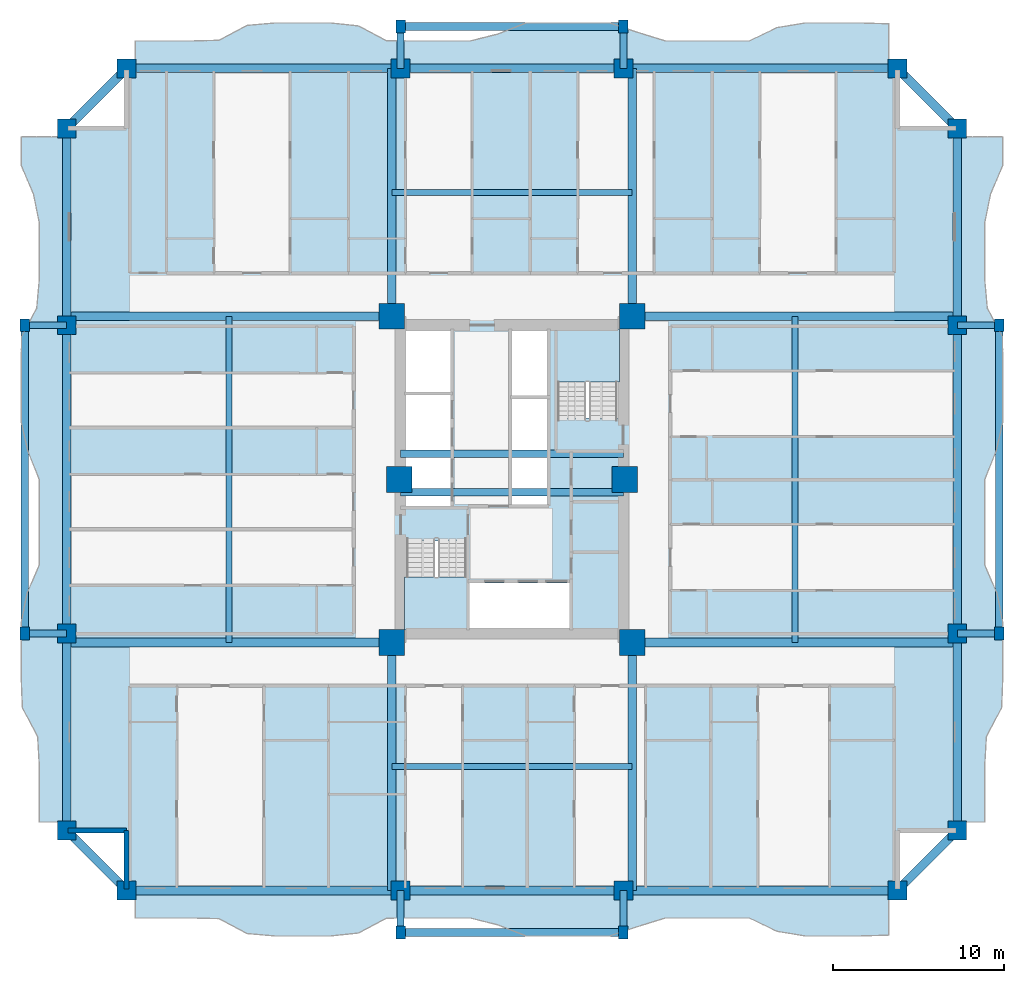
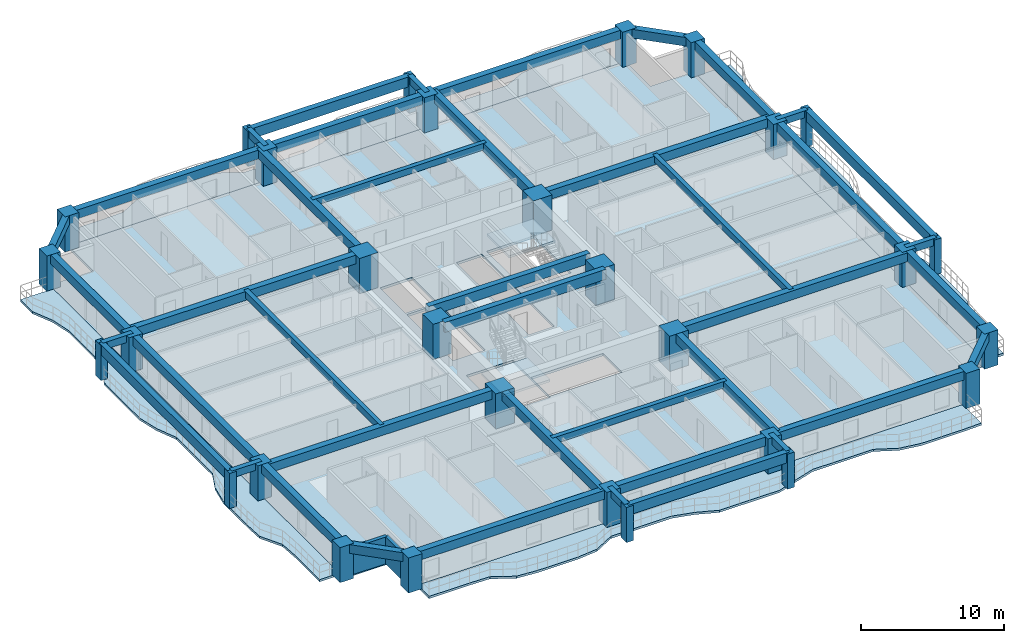
# One storey, part 1 of 16: 42 beams, 30 columns, 7 slabs, 2 walls, 2 elements without a shape of their own.
"""IFC4 building model written with IfcOpenShell, lengths in metres."""

from ifc_helpers import new_model, si_unit, direction, frame, frame_2d, origin, origin_2d, place, context, subcontext, project, spatial, polyline, rectangle, outline, extrude, source, transform, mapped, material, layer, layer_set, material_profile, profile_set, type_object, element, aggregate, save


model = new_model("IFC4")

# Units and contexts
model_context = context("Model", 3, precision=1e-05, world=origin(), true_north=direction((0.0, 1.0)))
body_context = subcontext(model_context, "Body", "Model", "MODEL_VIEW")
ifc_project = project(units=[si_unit("LENGTHUNIT", "METRE"), si_unit("AREAUNIT", "SQUARE_METRE"), si_unit("VOLUMEUNIT", "CUBIC_METRE"), si_unit("PLANEANGLEUNIT", "RADIAN"), si_unit("MASSUNIT", "GRAM", prefix="KILO")], contexts=[model_context])

# Site, building, storey
site_placement = place(None, origin())
site = spatial("IfcSite", under=ifc_project, at=site_placement, CompositionType="ELEMENT")
building_placement = place(site_placement, origin())
building = spatial("IfcBuilding", under=site, at=building_placement, Name="Saelheon Loggia Tower", CompositionType="ELEMENT")
storey_placement = place(building_placement, frame((0.0, 0.0, 31.39990234375)))
storey = spatial("IfcBuildingStorey", under=building, at=storey_placement, Name="L09", CompositionType="ELEMENT", Elevation=31.39990234375)

# Columns
ifc_material_1 = material(Name="Concrete C60/75", Category="concrete")
ifc_material_profile_1 = material_profile(ifc_material_1, rectangle(XDim=1.5, YDim=1.5, at=origin_2d()), Name="RC-1500x1500")
ifc_profile_set_1 = profile_set([ifc_material_profile_1], Name="Concrete C60/75")
column_type_1 = type_object("IfcColumnType", Name="Col_Core_RC1500", PredefinedType="COLUMN", material=ifc_profile_set_1)
shared_shape_1 = source(origin(), body_context, "Body", "SweptSolid", [
    extrude(rectangle(XDim=1.5, YDim=1.5, at=origin_2d()), origin(), (0.0, 0.0, 1.0), 3.0),
])
for number, where, z_axis, x_axis, name in (
    (1, (30.97998046875, 17.47998046875, 0.0), (0.0, 0.0, 1.0), (1.0, 0.0, 0.0), "L09 Core Column CR-SW"),
    (2, (45.02001953125, 17.47998046875, 0.0), (0.0, 0.0, 1.0), (1.0, 0.0, 0.0), "L09 Core Column CR-SE"),
    (3, (30.97998046875, 36.52001953125, 0.0), (0.0, 0.0, 1.0), (1.0, 0.0, 0.0), "L09 Core Column CR-NW"),
    (4, (45.02001953125, 36.52001953125, 0.0), (0.0, 0.0, 1.0), (1.0, 0.0, 0.0), "L09 Core Column CR-NE"),
    (5, (31.419921875, 27.0, 0.0), (0.0, 0.0, 1.0), (1.0, 0.0, 0.0), "L09 Core Column CR-MW"),
    (6, (44.580078125, 27.0, 0.0), (0.0, 0.0, 1.0), (1.0, 0.0, 0.0), "L09 Core Column CR-ME"),
):
    element("IfcColumn", number, at=place(storey_placement, frame(where, z_axis=z_axis, x_axis=x_axis)), inside=storey, type_object=column_type_1, Name=name, PredefinedType="COLUMN", context=body_context, shape_type="MappedRepresentation", body=[
        mapped(shared_shape_1, transform((0.0, 0.0, 0.0), scale=1.0)),
    ])
ifc_material_2 = material(Name="Concrete C50/60", Category="concrete")
ifc_material_profile_2 = material_profile(ifc_material_2, rectangle(XDim=1.10009765625, YDim=1.10009765625, at=origin_2d()), Name="RC-1100x1100")
ifc_profile_set_2 = profile_set([ifc_material_profile_2], Name="Concrete C50/60")
column_type_2 = type_object("IfcColumnType", Name="Col_PerimExt_RC1100", PredefinedType="COLUMN", material=ifc_profile_set_2)
shared_shape_2 = source(origin(), body_context, "Body", "SweptSolid", [
    extrude(rectangle(XDim=1.10009765625, YDim=1.10009765625, at=origin_2d()), origin(), (0.0, 0.0, 1.0), 3.0),
])
for number, where, z_axis, x_axis, name in (
    (7, (15.5, 3.0, 0.0), (0.0, 0.0, 1.0), (1.0, 0.0, 0.0), "L09 Perimeter Column TP-S1"),
    (8, (31.5, 3.0, 0.0), (0.0, 0.0, 1.0), (1.0, 0.0, 0.0), "L09 Perimeter Column TP-SA"),
    (9, (44.5, 3.0, 0.0), (0.0, 0.0, 1.0), (1.0, 0.0, 0.0), "L09 Perimeter Column TP-SB"),
    (10, (60.5, 3.0, 0.0), (0.0, 0.0, 1.0), (1.0, 0.0, 0.0), "L09 Perimeter Column TP-S2"),
    (11, (64.0, 6.5, 0.0), (0.0, 0.0, 1.0), (1.0, 0.0, 0.0), "L09 Perimeter Column TP-E1"),
    (12, (64.0, 18.0, 0.0), (0.0, 0.0, 1.0), (1.0, 0.0, 0.0), "L09 Perimeter Column TP-EA"),
    (13, (64.0, 36.0, 0.0), (0.0, 0.0, 1.0), (1.0, 0.0, 0.0), "L09 Perimeter Column TP-EB"),
    (14, (64.0, 47.5, 0.0), (0.0, 0.0, 1.0), (1.0, 0.0, 0.0), "L09 Perimeter Column TP-E2"),
    (15, (60.5, 51.0, 0.0), (0.0, 0.0, 1.0), (1.0, 0.0, 0.0), "L09 Perimeter Column TP-N2"),
    (16, (44.5, 51.0, 0.0), (0.0, 0.0, 1.0), (1.0, 0.0, 0.0), "L09 Perimeter Column TP-NB"),
    (17, (31.5, 51.0, 0.0), (0.0, 0.0, 1.0), (1.0, 0.0, 0.0), "L09 Perimeter Column TP-NA"),
    (18, (15.5, 51.0, 0.0), (0.0, 0.0, 1.0), (1.0, 0.0, 0.0), "L09 Perimeter Column TP-N1"),
    (19, (12.0, 47.5, 0.0), (0.0, 0.0, 1.0), (1.0, 0.0, 0.0), "L09 Perimeter Column TP-W2"),
    (20, (12.0, 36.0, 0.0), (0.0, 0.0, 1.0), (1.0, 0.0, 0.0), "L09 Perimeter Column TP-WB"),
    (21, (12.0, 18.0, 0.0), (0.0, 0.0, 1.0), (1.0, 0.0, 0.0), "L09 Perimeter Column TP-WA"),
    (22, (12.0, 6.5, 0.0), (0.0, 0.0, 1.0), (1.0, 0.0, 0.0), "L09 Perimeter Column TP-W1"),
):
    element("IfcColumn", number, at=place(storey_placement, frame(where, z_axis=z_axis, x_axis=x_axis)), inside=storey, type_object=column_type_2, Name=name, PredefinedType="COLUMN", context=body_context, shape_type="MappedRepresentation", body=[
        mapped(shared_shape_2, transform((0.0, 0.0, 0.0), scale=1.0)),
    ])
ifc_material_3 = material(Name="Precast Concrete C45/55", Category="concrete")
ifc_material_profile_3 = material_profile(ifc_material_3, rectangle(XDim=0.550048828125, YDim=0.75, at=origin_2d()), Name="RC-550x750")
ifc_profile_set_3 = profile_set([ifc_material_profile_3], Name="Precast Concrete C45/55")
column_type_3 = type_object("IfcColumnType", Name="Col_Loggia_Pilaster_750", PredefinedType="PILASTER", material=ifc_profile_set_3)
shared_shape_3 = source(origin(), body_context, "Body", "SweptSolid", [
    extrude(rectangle(XDim=0.550048828125, YDim=0.75, at=origin_2d()), origin(), (0.0, 0.0, 1.0), 3.0),
])
for number, where, z_axis, x_axis, name in (
    (23, (31.5, 0.550048828125, 0.0), (0.0, 0.0, 1.0), (1.0, 0.0, 0.0), "L09 Loggia Frame Pilaster LP-S1"),
    (24, (44.5, 0.550048828125, 0.0), (0.0, 0.0, 1.0), (1.0, 0.0, 0.0), "L09 Loggia Frame Pilaster LP-S2"),
    (25, (31.5, 53.449951171875, 0.0), (0.0, 0.0, 1.0), (1.0, 0.0, 0.0), "L09 Loggia Frame Pilaster LP-N1"),
    (26, (44.5, 53.449951171875, 0.0), (0.0, 0.0, 1.0), (1.0, 0.0, 0.0), "L09 Loggia Frame Pilaster LP-N2"),
    (27, (66.449951171875, 18.0, 0.0), (0.0, 0.0, 1.0), (1.0, 0.0, 0.0), "L09 Loggia Frame Pilaster LP-E1"),
    (28, (66.449951171875, 36.0, 0.0), (0.0, 0.0, 1.0), (1.0, 0.0, 0.0), "L09 Loggia Frame Pilaster LP-E2"),
    (29, (9.550048828125, 18.0, 0.0), (0.0, 0.0, 1.0), (1.0, 0.0, 0.0), "L09 Loggia Frame Pilaster LP-W1"),
    (30, (9.550048828125, 36.0, 0.0), (0.0, 0.0, 1.0), (1.0, 0.0, 0.0), "L09 Loggia Frame Pilaster LP-W2"),
):
    element("IfcColumn", number, at=place(storey_placement, frame(where, z_axis=z_axis, x_axis=x_axis)), inside=storey, type_object=column_type_3, Name=name, PredefinedType="PILASTER", context=body_context, shape_type="MappedRepresentation", body=[
        mapped(shared_shape_3, transform((0.0, 0.0, 0.0), scale=1.0)),
    ])

# Beams
ifc_material_profile_4 = material_profile(ifc_material_2, rectangle(XDim=0.449951171875, YDim=0.85009765625, at=origin_2d()), Name="RC-450x850")
ifc_profile_set_4 = profile_set([ifc_material_profile_4], Name="Concrete C50/60")
beam_type_1 = type_object("IfcBeamType", Name="Beam_CoreLintel_RC450x850", PredefinedType="LINTEL", material=ifc_profile_set_4)
shared_shape_4 = source(origin(), body_context, "Body", "SweptSolid", [
    extrude(rectangle(XDim=0.449951171875, YDim=0.85009765625, at=origin_2d()), origin(), (0.0, 0.0, 1.0), 13.0),
])
for number, where, z_axis, x_axis, name in (
    (31, (31.5, 26.25, 2.5751953125), (1.0, 0.0, 0.0), (0.0, 1.0, 0.0), "L09 Core Coupling Lintel 1"),
    (32, (31.5, 28.5, 2.5751953125), (1.0, 0.0, 0.0), (0.0, 1.0, 0.0), "L09 Core Coupling Lintel 2"),
):
    element("IfcBeam", number, at=place(storey_placement, frame(where, z_axis=z_axis, x_axis=x_axis)), inside=storey, type_object=beam_type_1, Name=name, PredefinedType="LINTEL", context=body_context, shape_type="MappedRepresentation", body=[
        mapped(shared_shape_4, transform((0.0, 0.0, 0.0), scale=1.0)),
    ])
ifc_material_profile_5 = material_profile(ifc_material_3, rectangle(XDim=0.449951171875, YDim=0.85009765625, at=origin_2d()), Name="RC-450x850")
ifc_profile_set_5 = profile_set([ifc_material_profile_5], Name="Precast Concrete C45/55")
beam_type_2 = type_object("IfcBeamType", Name="Beam_LoggiaSpandrel_RC450x850", PredefinedType="SPANDREL", material=ifc_profile_set_5)
for number, where, z_axis, x_axis, name in (
    (33, (31.5, 0.550048828125, 2.5751953125), (1.0, 0.0, 0.0), (0.0, 1.0, 0.0), "L09 Loggia Spandrel Beam S"),
    (34, (31.5, 53.449951171875, 2.5751953125), (1.0, 0.0, 0.0), (0.0, 1.0, 0.0), "L09 Loggia Spandrel Beam N"),
):
    element("IfcBeam", number, at=place(storey_placement, frame(where, z_axis=z_axis, x_axis=x_axis)), inside=storey, type_object=beam_type_2, Name=name, PredefinedType="SPANDREL", context=body_context, shape_type="MappedRepresentation", body=[
        mapped(shared_shape_4, transform((0.0, 0.0, 0.0), scale=1.0)),
    ])
ifc_material_4 = material(Name="Concrete C45/55", Category="concrete")
ifc_material_profile_6 = material_profile(ifc_material_4, rectangle(XDim=0.5, YDim=0.75, at=origin_2d()), Name="RC-500x750")
ifc_profile_set_6 = profile_set([ifc_material_profile_6], Name="Concrete C45/55")
beam_type_3 = type_object("IfcBeamType", Name="Beam_FloorGirder_RC500x750", PredefinedType="BEAM", material=ifc_profile_set_6)
shared_shape_5 = source(origin(), body_context, "Body", "SweptSolid", [
    extrude(rectangle(XDim=0.5, YDim=0.75, at=origin_2d()), origin(), (0.0, 0.0, 1.0), 14.47998046875),
])
for number, where, z_axis, x_axis, name in (
    (35, (30.97998046875, 17.47998046875, 2.625), (0.0, -1.0, 0.0), (1.0, 0.0, 0.0), "L09 Radial Floor Girder RAD-SW-S"),
    (36, (45.02001953125, 17.47998046875, 2.625), (0.0, -1.0, 0.0), (1.0, 0.0, 0.0), "L09 Radial Floor Girder RAD-SE-S"),
    (37, (30.97998046875, 36.52001953125, 2.625), (0.0, 1.0, 0.0), (-1.0, 0.0, 0.0), "L09 Radial Floor Girder RAD-NW-N"),
    (38, (45.02001953125, 36.52001953125, 2.625), (0.0, 1.0, 0.0), (-1.0, 0.0, 0.0), "L09 Radial Floor Girder RAD-NE-N"),
):
    element("IfcBeam", number, at=place(storey_placement, frame(where, z_axis=z_axis, x_axis=x_axis)), inside=storey, type_object=beam_type_3, Name=name, PredefinedType="BEAM", context=body_context, shape_type="MappedRepresentation", body=[
        mapped(shared_shape_5, transform((0.0, 0.0, 0.0), scale=1.0)),
    ])
ifc_material_profile_7 = material_profile(ifc_material_4, rectangle(XDim=0.5, YDim=0.75, at=origin_2d()), Name="RC-500x750")
ifc_profile_set_7 = profile_set([ifc_material_profile_7], Name="Concrete C45/55")
beam_type_4 = type_object("IfcBeamType", Name="Beam_PerimGirder_RC500x750", PredefinedType="BEAM", material=ifc_profile_set_7)
shared_shape_6 = source(origin(), body_context, "Body", "SweptSolid", [
    extrude(rectangle(XDim=0.5, YDim=0.75, at=origin_2d()), origin(), (0.0, 0.0, 1.0), 16.0),
])
for number, where, z_axis, x_axis, name in (
    (39, (15.5, 3.0, 2.625), (1.0, 0.0, 0.0), (0.0, 1.0, 0.0), "L09 Perimeter Frame Girder 01"),
    (40, (44.5, 3.0, 2.625), (1.0, 0.0, 0.0), (0.0, 1.0, 0.0), "L09 Perimeter Frame Girder 03"),
    (41, (60.5, 51.0, 2.625), (-1.0, 0.0, 0.0), (0.0, -1.0, 0.0), "L09 Perimeter Frame Girder 09"),
    (42, (31.5, 51.0, 2.625), (-1.0, 0.0, 0.0), (0.0, -1.0, 0.0), "L09 Perimeter Frame Girder 11"),
):
    element("IfcBeam", number, at=place(storey_placement, frame(where, z_axis=z_axis, x_axis=x_axis)), inside=storey, type_object=beam_type_4, Name=name, PredefinedType="BEAM", context=body_context, shape_type="MappedRepresentation", body=[
        mapped(shared_shape_6, transform((0.0, 0.0, 0.0), scale=1.0)),
    ])
shared_shape_7 = source(origin(), body_context, "Body", "SweptSolid", [
    extrude(rectangle(XDim=0.5, YDim=0.75, at=origin_2d()), origin(), (0.0, 0.0, 1.0), 13.0),
])
for number, where, z_axis, x_axis, name in (
    (43, (31.5, 3.0, 2.625), (1.0, 0.0, 0.0), (0.0, 1.0, 0.0), "L09 Perimeter Frame Girder 02"),
    (44, (44.5, 51.0, 2.625), (-1.0, 0.0, 0.0), (0.0, -1.0, 0.0), "L09 Perimeter Frame Girder 10"),
):
    element("IfcBeam", number, at=place(storey_placement, frame(where, z_axis=z_axis, x_axis=x_axis)), inside=storey, type_object=beam_type_4, Name=name, PredefinedType="BEAM", context=body_context, shape_type="MappedRepresentation", body=[
        mapped(shared_shape_7, transform((0.0, 0.0, 0.0), scale=1.0)),
    ])
shared_shape_8 = source(origin(), body_context, "Body", "SweptSolid", [
    extrude(rectangle(XDim=0.5, YDim=0.75, at=origin_2d()), origin(), (0.0, 0.0, 1.0), 4.94970703125),
])
for number, where, z_axis, x_axis, name in (
    (45, (60.5, 3.0, 2.625), (0.707106781187, 0.707106781187, 0.0), (-0.707106781187, 0.707106781187, 0.0), "L09 Perimeter Frame Girder 04"),
    (46, (64.0, 47.5, 2.625), (-0.707106781187, 0.707106781187, 0.0), (-0.707106781187, -0.707106781187, 0.0), "L09 Perimeter Frame Girder 08"),
    (47, (15.5, 51.0, 2.625), (-0.707106781187, -0.707106781187, 0.0), (0.707106781187, -0.707106781187, 0.0), "L09 Perimeter Frame Girder 12"),
    (48, (12.0, 6.5, 2.625), (0.707106781187, -0.707106781187, 0.0), (0.707106781187, 0.707106781187, 0.0), "L09 Perimeter Frame Girder 16"),
):
    element("IfcBeam", number, at=place(storey_placement, frame(where, z_axis=z_axis, x_axis=x_axis)), inside=storey, type_object=beam_type_4, Name=name, PredefinedType="BEAM", context=body_context, shape_type="MappedRepresentation", body=[
        mapped(shared_shape_8, transform((0.0, 0.0, 0.0), scale=1.0)),
    ])
shared_shape_9 = source(origin(), body_context, "Body", "SweptSolid", [
    extrude(rectangle(XDim=0.5, YDim=0.75, at=origin_2d()), origin(), (0.0, 0.0, 1.0), 11.5),
])
for number, where, z_axis, x_axis, name in (
    (49, (64.0, 6.5, 2.625), (0.0, 1.0, 0.0), (-1.0, 0.0, 0.0), "L09 Perimeter Frame Girder 05"),
    (50, (64.0, 36.0, 2.625), (0.0, 1.0, 0.0), (-1.0, 0.0, 0.0), "L09 Perimeter Frame Girder 07"),
    (51, (12.0, 47.5, 2.625), (0.0, -1.0, 0.0), (1.0, 0.0, 0.0), "L09 Perimeter Frame Girder 13"),
    (52, (12.0, 18.0, 2.625), (0.0, -1.0, 0.0), (1.0, 0.0, 0.0), "L09 Perimeter Frame Girder 15"),
):
    element("IfcBeam", number, at=place(storey_placement, frame(where, z_axis=z_axis, x_axis=x_axis)), inside=storey, type_object=beam_type_4, Name=name, PredefinedType="BEAM", context=body_context, shape_type="MappedRepresentation", body=[
        mapped(shared_shape_9, transform((0.0, 0.0, 0.0), scale=1.0)),
    ])
shared_shape_10 = source(origin(), body_context, "Body", "SweptSolid", [
    extrude(rectangle(XDim=0.5, YDim=0.75, at=origin_2d()), origin(), (0.0, 0.0, 1.0), 18.0),
])
for number, where, z_axis, x_axis, name in (
    (53, (64.0, 18.0, 2.625), (0.0, 1.0, 0.0), (-1.0, 0.0, 0.0), "L09 Perimeter Frame Girder 06"),
    (54, (12.0, 36.0, 2.625), (0.0, -1.0, 0.0), (1.0, 0.0, 0.0), "L09 Perimeter Frame Girder 14"),
):
    element("IfcBeam", number, at=place(storey_placement, frame(where, z_axis=z_axis, x_axis=x_axis)), inside=storey, type_object=beam_type_4, Name=name, PredefinedType="BEAM", context=body_context, shape_type="MappedRepresentation", body=[
        mapped(shared_shape_10, transform((0.0, 0.0, 0.0), scale=1.0)),
    ])
shared_shape_11 = source(origin(), body_context, "Body", "SweptSolid", [
    extrude(rectangle(XDim=0.5, YDim=0.75, at=origin_2d()), origin(), (0.0, 0.0, 1.0), 18.97998046875),
])
for number, where, z_axis, x_axis, name in (
    (55, (30.97998046875, 17.47998046875, 2.625), (-1.0, 0.0, 0.0), (0.0, -1.0, 0.0), "L09 Radial Floor Girder RAD-SW-W"),
    (56, (30.97998046875, 36.52001953125, 2.625), (-1.0, 0.0, 0.0), (0.0, -1.0, 0.0), "L09 Radial Floor Girder RAD-NW-W"),
    (57, (45.02001953125, 17.47998046875, 2.625), (1.0, 0.0, 0.0), (0.0, 1.0, 0.0), "L09 Radial Floor Girder RAD-SE-E"),
    (58, (45.02001953125, 36.52001953125, 2.625), (1.0, 0.0, 0.0), (0.0, 1.0, 0.0), "L09 Radial Floor Girder RAD-NE-E"),
):
    element("IfcBeam", number, at=place(storey_placement, frame(where, z_axis=z_axis, x_axis=x_axis)), inside=storey, type_object=beam_type_3, Name=name, PredefinedType="BEAM", context=body_context, shape_type="MappedRepresentation", body=[
        mapped(shared_shape_11, transform((0.0, 0.0, 0.0), scale=1.0)),
    ])
ifc_material_5 = material(Name="Concrete C40/50", Category="concrete")
ifc_material_profile_8 = material_profile(ifc_material_5, rectangle(XDim=0.35009765625, YDim=0.550048828125, at=origin_2d()), Name="RC-350x550")
ifc_profile_set_8 = profile_set([ifc_material_profile_8], Name="Concrete C40/50")
beam_type_5 = type_object("IfcBeamType", Name="Beam_Joist_RC350x550", PredefinedType="JOIST", material=ifc_profile_set_8)
shared_shape_12 = source(origin(), body_context, "Body", "SweptSolid", [
    extrude(rectangle(XDim=0.35009765625, YDim=0.550048828125, at=origin_2d()), origin(), (0.0, 0.0, 1.0), 14.0400390625),
])
for number, where, z_axis, x_axis, name in (
    (59, (30.97998046875, 10.239990234375, 2.72509765625), (1.0, 0.0, 0.0), (0.0, 1.0, 0.0), "L09 South Floor Joist"),
    (60, (30.97998046875, 43.760009765625, 2.72509765625), (1.0, 0.0, 0.0), (0.0, 1.0, 0.0), "L09 North Floor Joist"),
):
    element("IfcBeam", number, at=place(storey_placement, frame(where, z_axis=z_axis, x_axis=x_axis)), inside=storey, type_object=beam_type_5, Name=name, PredefinedType="JOIST", context=body_context, shape_type="MappedRepresentation", body=[
        mapped(shared_shape_12, transform((0.0, 0.0, 0.0), scale=1.0)),
    ])
shared_shape_13 = source(origin(), body_context, "Body", "SweptSolid", [
    extrude(rectangle(XDim=0.35009765625, YDim=0.550048828125, at=origin_2d()), origin(), (0.0, 0.0, 1.0), 19.0400390625),
])
for number, where, z_axis, x_axis, name in (
    (61, (21.489990234375, 17.47998046875, 2.72509765625), (0.0, 1.0, 0.0), (-1.0, 0.0, 0.0), "L09 West Floor Joist"),
    (62, (54.510009765625, 17.47998046875, 2.72509765625), (0.0, 1.0, 0.0), (-1.0, 0.0, 0.0), "L09 East Floor Joist"),
):
    element("IfcBeam", number, at=place(storey_placement, frame(where, z_axis=z_axis, x_axis=x_axis)), inside=storey, type_object=beam_type_5, Name=name, PredefinedType="JOIST", context=body_context, shape_type="MappedRepresentation", body=[
        mapped(shared_shape_13, transform((0.0, 0.0, 0.0), scale=1.0)),
    ])
ifc_material_profile_9 = material_profile(ifc_material_3, rectangle(XDim=0.39990234375, YDim=0.60009765625, at=origin_2d()), Name="RC-400x600")
ifc_profile_set_9 = profile_set([ifc_material_profile_9], Name="Precast Concrete C45/55")
beam_type_6 = type_object("IfcBeamType", Name="Beam_LoggiaTie_RC400x600", PredefinedType="BEAM", material=ifc_profile_set_9)
shared_shape_14 = source(origin(), body_context, "Body", "SweptSolid", [
    extrude(rectangle(XDim=0.39990234375, YDim=0.60009765625, at=origin_2d()), origin(), (0.0, 0.0, 1.0), 2.449951171875),
])
for number, where, z_axis, x_axis, name in (
    (63, (31.5, 3.0, 2.7001953125), (0.0, -1.0, 0.0), (1.0, 0.0, 0.0), "L09 Loggia Frame Tie Beam LP-S1"),
    (64, (44.5, 3.0, 2.7001953125), (0.0, -1.0, 0.0), (1.0, 0.0, 0.0), "L09 Loggia Frame Tie Beam LP-S2"),
    (65, (31.5, 51.0, 2.7001953125), (0.0, 1.0, 0.0), (-1.0, 0.0, 0.0), "L09 Loggia Frame Tie Beam LP-N1"),
    (66, (44.5, 51.0, 2.7001953125), (0.0, 1.0, 0.0), (-1.0, 0.0, 0.0), "L09 Loggia Frame Tie Beam LP-N2"),
    (67, (64.0, 18.0, 2.7001953125), (1.0, 0.0, 0.0), (0.0, 1.0, 0.0), "L09 Loggia Frame Tie Beam LP-E1"),
    (68, (64.0, 36.0, 2.7001953125), (1.0, 0.0, 0.0), (0.0, 1.0, 0.0), "L09 Loggia Frame Tie Beam LP-E2"),
    (69, (12.0, 18.0, 2.7001953125), (-1.0, 0.0, 0.0), (0.0, -1.0, 0.0), "L09 Loggia Frame Tie Beam LP-W1"),
    (70, (12.0, 36.0, 2.7001953125), (-1.0, 0.0, 0.0), (0.0, -1.0, 0.0), "L09 Loggia Frame Tie Beam LP-W2"),
):
    element("IfcBeam", number, at=place(storey_placement, frame(where, z_axis=z_axis, x_axis=x_axis)), inside=storey, type_object=beam_type_6, Name=name, PredefinedType="BEAM", context=body_context, shape_type="MappedRepresentation", body=[
        mapped(shared_shape_14, transform((0.0, 0.0, 0.0), scale=1.0)),
    ])
shared_shape_15 = source(origin(), body_context, "Body", "SweptSolid", [
    extrude(rectangle(XDim=0.449951171875, YDim=0.85009765625, at=origin_2d()), origin(), (0.0, 0.0, 1.0), 18.0),
])
for number, where, z_axis, x_axis, name in (
    (71, (66.449951171875, 18.0, 2.5751953125), (0.0, 1.0, 0.0), (-1.0, 0.0, 0.0), "L09 Loggia Spandrel Beam E"),
    (72, (9.550048828125, 18.0, 2.5751953125), (0.0, 1.0, 0.0), (-1.0, 0.0, 0.0), "L09 Loggia Spandrel Beam W"),
):
    element("IfcBeam", number, at=place(storey_placement, frame(where, z_axis=z_axis, x_axis=x_axis)), inside=storey, type_object=beam_type_2, Name=name, PredefinedType="SPANDREL", context=body_context, shape_type="MappedRepresentation", body=[
        mapped(shared_shape_15, transform((0.0, 0.0, 0.0), scale=1.0)),
    ])

# Slabs
ifc_layer_1 = layer(ifc_material_3, 0.18994140625)
ifc_layer_set_1 = layer_set([ifc_layer_1], Name="Precast Concrete C45/55")
slab_type_1 = type_object("IfcSlabType", Name="Slab_Loggia_Ext_190", PredefinedType="FLOOR", material=ifc_layer_set_1)
slab_1_placement = place(storey_placement, frame((0.0, 0.0, -0.18994140625)))
element("IfcSlab", 73, at=slab_1_placement, inside=storey, type_object=slab_type_1, Name="L09 Loggia Balcony Slab S", PredefinedType="FLOOR", context=body_context, shape_type="SweptSolid", body=[
    extrude(outline(polyline([(16.0, 1.39990234375), (17.629638671875, 1.39990234375), (19.25927734375, 1.39990234375), (20.888916015625, 1.359619140625), (22.5185546875, 0.490966796875), (24.148193359375, 0.35009765625), (25.77783203125, 0.35009765625), (27.407470703125, 0.35009765625), (29.037109375, 0.52001953125), (30.666748046875, 1.387451171875), (32.29638671875, 1.39990234375), (33.92578125, 1.39990234375), (35.5556640625, 1.39990234375), (37.185302734375, 0.99365234375), (38.814697265625, 0.35009765625), (40.4443359375, 0.35009765625), (42.07421875, 0.35009765625), (43.70361328125, 0.35009765625), (45.333251953125, 0.895263671875), (46.962890625, 1.39990234375), (48.592529296875, 1.39990234375), (50.22216796875, 1.39990234375), (51.851806640625, 1.39990234375), (53.4814453125, 0.61669921875), (55.111083984375, 0.35009765625), (56.74072265625, 0.35009765625), (58.370361328125, 0.35009765625), (60.0, 0.396728515625), (60.0, 3.0), (16.0, 3.0), (16.0, 1.39990234375)])), origin(), (0.0, 0.0, 1.0), 0.18994140625),
])
slab_2_placement = place(storey_placement, frame((0.0, 0.0, -0.18994140625)))
element("IfcSlab", 74, at=slab_2_placement, inside=storey, type_object=slab_type_1, Name="L09 Loggia Balcony Slab N", PredefinedType="FLOOR", context=body_context, shape_type="SweptSolid", body=[
    extrude(outline(polyline([(16.0, 51.0), (60.0, 51.0), (60.0, 53.603271484375), (58.370361328125, 53.64990234375), (56.74072265625, 53.64990234375), (55.111083984375, 53.64990234375), (53.4814453125, 53.38330078125), (51.851806640625, 52.60009765625), (50.22216796875, 52.60009765625), (48.592529296875, 52.60009765625), (46.962890625, 52.60009765625), (45.333251953125, 53.104736328125), (43.70361328125, 53.64990234375), (42.07421875, 53.64990234375), (40.4443359375, 53.64990234375), (38.814697265625, 53.64990234375), (37.185302734375, 53.00634765625), (35.5556640625, 52.60009765625), (33.92578125, 52.60009765625), (32.29638671875, 52.60009765625), (30.666748046875, 52.612548828125), (29.037109375, 53.47998046875), (27.407470703125, 53.64990234375), (25.77783203125, 53.64990234375), (24.148193359375, 53.64990234375), (22.5185546875, 53.509033203125), (20.888916015625, 52.640380859375), (19.25927734375, 52.60009765625), (17.629638671875, 52.60009765625), (16.0, 52.60009765625), (16.0, 51.0)])), origin(), (0.0, 0.0, 1.0), 0.18994140625),
])
slab_3_placement = place(storey_placement, frame((0.0, 0.0, -0.18994140625)))
element("IfcSlab", 75, at=slab_3_placement, inside=storey, type_object=slab_type_1, Name="L09 Loggia Balcony Slab E", PredefinedType="FLOOR", context=body_context, shape_type="SweptSolid", body=[
    extrude(outline(polyline([(64.0, 7.0), (65.60009765625, 7.0), (65.60009765625, 8.666748046875), (65.60009765625, 10.333251953125), (65.69677734375, 12.0), (66.586181640625, 13.666748046875), (66.64990234375, 15.333251953125), (66.64990234375, 17.0), (66.64990234375, 18.666748046875), (66.32177734375, 20.333251953125), (65.60009765625, 22.0), (65.60009765625, 23.666748046875), (65.60009765625, 25.333251953125), (65.60009765625, 27.0), (66.267578125, 28.666748046875), (66.64990234375, 30.333251953125), (66.64990234375, 32.0), (66.64990234375, 33.666748046875), (66.63720703125, 35.333251953125), (65.748291015625, 37.0), (65.60009765625, 38.666748046875), (65.60009765625, 40.333251953125), (65.60009765625, 42.0), (65.9423828125, 43.666748046875), (66.64990234375, 45.333251953125), (66.64990234375, 47.0), (64.0, 47.0), (64.0, 7.0)])), origin(), (0.0, 0.0, 1.0), 0.18994140625),
])
slab_4_placement = place(storey_placement, frame((0.0, 0.0, -0.18994140625)))
element("IfcSlab", 76, at=slab_4_placement, inside=storey, type_object=slab_type_1, Name="L09 Loggia Balcony Slab W", PredefinedType="FLOOR", context=body_context, shape_type="SweptSolid", body=[
    extrude(outline(polyline([(12.0, 7.0), (12.0, 47.0), (9.35009765625, 47.0), (9.35009765625, 45.333251953125), (10.0576171875, 43.666748046875), (10.39990234375, 42.0), (10.39990234375, 40.333251953125), (10.39990234375, 38.666748046875), (10.251708984375, 37.0), (9.36279296875, 35.333251953125), (9.35009765625, 33.666748046875), (9.35009765625, 32.0), (9.35009765625, 30.333251953125), (9.732421875, 28.666748046875), (10.39990234375, 27.0), (10.39990234375, 25.333251953125), (10.39990234375, 23.666748046875), (10.39990234375, 22.0), (9.67822265625, 20.333251953125), (9.35009765625, 18.666748046875), (9.35009765625, 17.0), (9.35009765625, 15.333251953125), (9.413818359375, 13.666748046875), (10.30322265625, 12.0), (10.39990234375, 10.333251953125), (10.39990234375, 8.666748046875), (10.39990234375, 7.0), (12.0, 7.0)])), origin(), (0.0, 0.0, 1.0), 0.18994140625),
])

# Stair, slab
stair_type = type_object("IfcStairType", Name="Stair_Escape_Core", PredefinedType="HALF_TURN_STAIR", material=ifc_material_5)
stair_1_placement = place(storey_placement, origin())
stair_1 = element("IfcStair", 77, at=stair_1_placement, inside=storey, type_object=stair_type, Name="L09 Special Escape Stair ST1", PredefinedType="HALF_TURN_STAIR")
ifc_layer_2 = layer(ifc_material_5, 0.199951171875)
ifc_layer_set_2 = layer_set([ifc_layer_2], Name="Concrete C40/50")
slab_type_2 = type_object("IfcSlabType", Name="Slab_StairLanding_ST1", PredefinedType="LANDING", material=ifc_layer_set_2)
slab_5_placement = place(storey_placement, frame((0.0, 0.0, 1.300048828125)))
slab_5 = element("IfcSlab", 78, at=slab_5_placement, type_object=slab_type_2, Name="ST1 landing 1", PredefinedType="LANDING", context=body_context, shape_type="SweptSolid", body=[
    extrude(outline(polyline([(31.7099609375, 21.31005859375), (31.7099609375, 18.2099609375), (35.469970703125, 18.2099609375), (35.469970703125, 21.31005859375), (31.7099609375, 21.31005859375)])), origin(), (0.0, 0.0, 1.0), 0.199951171875),
])
aggregate(stair_1, [slab_5])

stair_2_placement = place(storey_placement, origin())
stair_2 = element("IfcStair", 79, at=stair_2_placement, inside=storey, type_object=stair_type, Name="L09 Special Escape Stair ST2", PredefinedType="HALF_TURN_STAIR")
ifc_layer_3 = layer(ifc_material_5, 0.199951171875)
ifc_layer_set_3 = layer_set([ifc_layer_3], Name="Concrete C40/50")
slab_type_3 = type_object("IfcSlabType", Name="Slab_StairLanding_ST2", PredefinedType="LANDING", material=ifc_layer_set_3)
slab_6_placement = place(storey_placement, frame((0.0, 0.0, 1.300048828125)))
slab_6 = element("IfcSlab", 80, at=slab_6_placement, type_object=slab_type_3, Name="ST2 landing 1", PredefinedType="LANDING", context=body_context, shape_type="SweptSolid", body=[
    extrude(outline(polyline([(44.2900390625, 32.68994140625), (44.2900390625, 35.7900390625), (40.530029296875, 35.7900390625), (40.530029296875, 32.68994140625), (44.2900390625, 32.68994140625)])), origin(), (0.0, 0.0, 1.0), 0.199951171875),
])
aggregate(stair_2, [slab_6])

# Slab
ifc_layer_4 = layer(ifc_material_5, 0.2099609375)
ifc_layer_set_4 = layer_set([ifc_layer_4], Name="Concrete C40/50")
slab_type_4 = type_object("IfcSlabType", Name="Slab_Tower_210", PredefinedType="FLOOR", material=ifc_layer_set_4)
slab_7_placement = place(storey_placement, frame((0.0, 0.0, -0.2099609375)))
element("IfcSlab", 81, at=slab_7_placement, inside=storey, type_object=slab_type_4, Name="L09 Tower Floor Slab", PredefinedType="FLOOR", context=body_context, shape_type="SweptSolid", body=[
    extrude(outline(polyline([(15.5, 3.0), (60.5, 3.0), (60.5, 6.5), (64.0, 6.5), (64.0, 47.5), (60.5, 47.5), (60.5, 51.0), (15.5, 51.0), (15.5, 47.5), (12.0, 47.5), (12.0, 6.5), (15.5, 6.5), (15.5, 3.0)]), holes=[polyline([(31.699951171875, 23.409912109375), (31.699951171875, 18.199951171875), (35.47998046875, 18.199951171875), (35.47998046875, 23.409912109375), (31.699951171875, 23.409912109375)]), polyline([(44.300048828125, 30.590087890625), (44.300048828125, 35.800048828125), (40.52001953125, 35.800048828125), (40.52001953125, 30.590087890625), (44.300048828125, 30.590087890625)]), polyline([(35.530029296875, 18.324951171875), (41.35009765625, 18.324951171875), (41.35009765625, 20.9599609375), (35.530029296875, 20.9599609375), (35.530029296875, 18.324951171875)]), polyline([(31.824951171875, 32.1201171875), (34.419921875, 32.1201171875), (34.419921875, 35.675048828125), (31.824951171875, 35.675048828125), (31.824951171875, 32.1201171875)]), polyline([(38.0, 31.89990234375), (40.050048828125, 31.89990234375), (40.050048828125, 35.675048828125), (38.0, 35.675048828125), (38.0, 31.89990234375)]), polyline([(31.824951171875, 25.449951171875), (34.419921875, 25.449951171875), (34.419921875, 31.919921875), (31.824951171875, 31.919921875), (31.824951171875, 25.449951171875)]), polyline([(38.0, 25.5400390625), (40.050048828125, 25.5400390625), (40.050048828125, 31.699951171875), (38.0, 31.699951171875), (38.0, 25.5400390625)])]), origin(), (0.0, 0.0, 1.0), 0.2099609375),
])

# Walls
ifc_material_6 = material(Name="Architectural Precast Concrete C40/50", Category="concrete")
ifc_layer_5 = layer(ifc_material_6, 0.280029296875)
ifc_layer_set_5 = layer_set([ifc_layer_5], Name="Architectural Precast Concrete C40/50")
wall_type = type_object("IfcWallType", Name="Wall_Ext_Loggia_280", PredefinedType="SOLIDWALL", material=ifc_layer_set_5)
for number, where, z_axis, x_axis, name in (
    (82, (15.5, 3.080078125, 0.0), (0.0, 0.0, 1.0), (0.0, 1.0, 0.0), "L09 Corner Notch Precast Wall SW1"),
    (83, (12.080078125, 6.5, 0.0), (0.0, 0.0, 1.0), (1.0, 0.0, 0.0), "L09 Corner Notch Precast Wall SW2"),
):
    element("IfcWall", number, at=place(storey_placement, frame(where, z_axis=z_axis, x_axis=x_axis)), inside=storey, type_object=wall_type, Name=name, PredefinedType="SOLIDWALL", context=body_context, shape_type="SweptSolid", body=[
        extrude(rectangle(XDim=3.419921875, YDim=0.280029296875, at=frame_2d((1.7099609375, 0.0))), origin(), (0.0, 0.0, 1.0), 2.280029296875),
    ])

save(model, "model.ifc")
